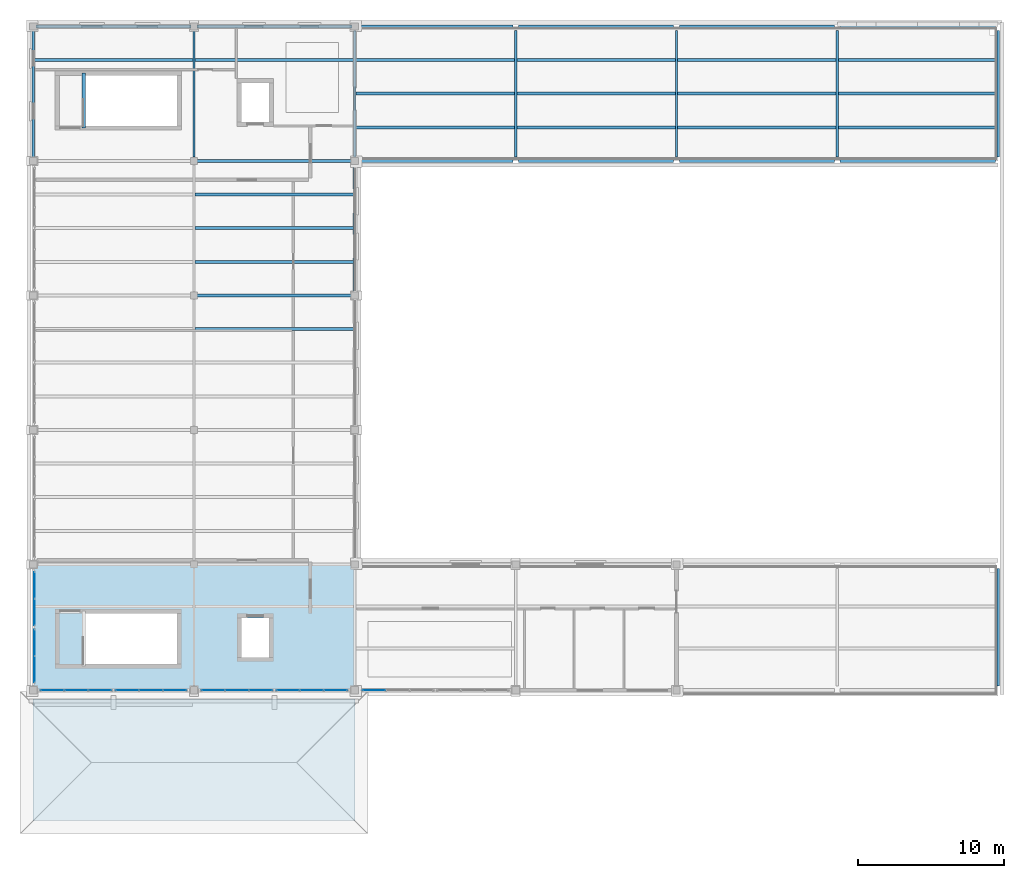
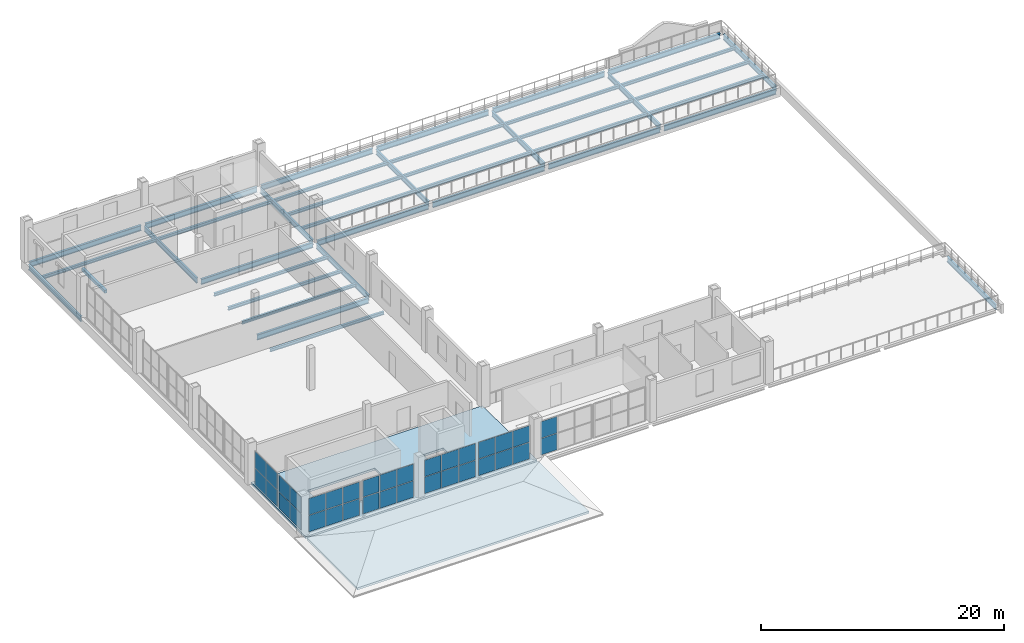
# One storey, part 21 of 26: 40 beams, 34 plates, 2 slabs, 7 elements without a shape of their own.
"""IFC4 building model written with IfcOpenShell, lengths in metres."""

from ifc_helpers import new_model, si_unit, direction, frame, origin, origin_2d, place, context, subcontext, project, spatial, polyline, rectangle, i_section, outline, extrude, material, layer, layer_set, material_profile, profile_set, type_object, element, aggregate, save


model = new_model("IFC4")

# Units and contexts
model_context = context("Model", 3, precision=1e-05, world=origin(), true_north=direction((0.0, 1.0)))
body_context = subcontext(model_context, "Body", "Model", "MODEL_VIEW")
ifc_project = project(units=[si_unit("LENGTHUNIT", "METRE"), si_unit("AREAUNIT", "SQUARE_METRE"), si_unit("VOLUMEUNIT", "CUBIC_METRE"), si_unit("PLANEANGLEUNIT", "RADIAN"), si_unit("MASSUNIT", "GRAM", prefix="KILO")], contexts=[model_context])

# Site, building, storey
site_placement = place(None, origin())
site = spatial("IfcSite", under=ifc_project, at=site_placement, CompositionType="ELEMENT")
building_placement = place(site_placement, origin())
building = spatial("IfcBuilding", under=site, at=building_placement, Name="Caurita Quay Ferry Terminal", CompositionType="ELEMENT")
storey_placement = place(building_placement, frame((0.0, 0.0, 18.300048828125)))
storey = spatial("IfcBuildingStorey", under=building, at=storey_placement, Name="L04", CompositionType="ELEMENT", Elevation=18.300048828125)

# Beams
ifc_material_1 = material(Name="Structural steel ASTM A992 Gr. 50", Category="steel")
ifc_material_profile_1 = material_profile(ifc_material_1, i_section(OverallWidth=0.210693359375, OverallDepth=0.53857421875, WebThickness=0.01171875, FlangeThickness=0.018798828125, FilletRadius=0.013916015625, at=origin_2d()), Name="W21X73")
ifc_profile_set_1 = profile_set([ifc_material_profile_1], Name="Structural steel ASTM A992 Gr. 50")
beam_type_1 = type_object("IfcBeamType", Name="BM-GR-W21A", PredefinedType="BEAM", material=ifc_profile_set_1)
for number, where, z_axis, x_axis, name in (
    (1, (11.19140625, 98.60009765625, -0.4892578125), (1.0, 0.0, 0.0), (0.0, 1.0, 0.0), "L04 Beam BM-V5-L04-X-112-986"),
    (2, (11.19140625, 107.800048828125, -0.4892578125), (1.0, 0.0, 0.0), (0.0, 1.0, 0.0), "L04 Beam BM-V5-L04-X-112-1078"),
):
    element("IfcBeam", number, at=place(storey_placement, frame(where, z_axis=z_axis, x_axis=x_axis)), inside=storey, type_object=beam_type_1, Name=name, PredefinedType="BEAM", context=body_context, shape_type="SweptSolid", body=[
        extrude(i_section(OverallWidth=0.210693359375, OverallDepth=0.53857421875, WebThickness=0.01171875, FlangeThickness=0.018798828125, FilletRadius=0.013916015625, at=origin_2d()), origin(), (0.0, 0.0, 1.0), 10.6171875),
    ])
beam_1_placement = place(storey_placement, frame((22.19140625, 107.800048828125, -0.479248046875), z_axis=(1.0, 0.0, 0.0), x_axis=(0.0, 1.0, 0.0)))
element("IfcBeam", 3, at=beam_1_placement, inside=storey, type_object=beam_type_1, Name="L04 Beam BM-V5-L04-X-222-1078", PredefinedType="BEAM", context=body_context, shape_type="SweptSolid", body=[
    extrude(i_section(OverallWidth=0.210693359375, OverallDepth=0.53857421875, WebThickness=0.01171875, FlangeThickness=0.018798828125, FilletRadius=0.013916015625, at=origin_2d()), origin(), (0.0, 0.0, 1.0), 10.617431640625),
])
for number, where, z_axis, x_axis, name in (
    (4, (33.191162109375, 107.800048828125, -0.479248046875), (1.0, 0.0, 0.0), (0.0, 1.0, 0.0), "L04 Beam BM-V5-L04-X-332-1078"),
    (5, (44.191162109375, 107.800048828125, -0.479248046875), (1.0, 0.0, 0.0), (0.0, 1.0, 0.0), "L04 Beam BM-V5-L04-X-442-1078"),
    (6, (55.191162109375, 107.800048828125, -0.479248046875), (1.0, 0.0, 0.0), (0.0, 1.0, 0.0), "L04 Beam BM-V5-L04-X-552-1078"),
):
    element("IfcBeam", number, at=place(storey_placement, frame(where, z_axis=z_axis, x_axis=x_axis)), inside=storey, type_object=beam_type_1, Name=name, PredefinedType="BEAM", context=body_context, shape_type="SweptSolid", body=[
        extrude(i_section(OverallWidth=0.210693359375, OverallDepth=0.53857421875, WebThickness=0.01171875, FlangeThickness=0.018798828125, FilletRadius=0.013916015625, at=origin_2d()), origin(), (0.0, 0.0, 1.0), 10.61767578125),
    ])
for number, where, z_axis, x_axis, name in (
    (7, (0.19140625, 117.0, -0.4892578125), (1.0, 0.0, 0.0), (0.0, 1.0, 0.0), "L04 Beam BM-V5-L04-X-2-1170"),
    (8, (11.19140625, 117.0, -0.4892578125), (1.0, 0.0, 0.0), (0.0, 1.0, 0.0), "L04 Beam BM-V5-L04-X-112-1170"),
):
    element("IfcBeam", number, at=place(storey_placement, frame(where, z_axis=z_axis, x_axis=x_axis)), inside=storey, type_object=beam_type_1, Name=name, PredefinedType="BEAM", context=body_context, shape_type="SweptSolid", body=[
        extrude(i_section(OverallWidth=0.210693359375, OverallDepth=0.53857421875, WebThickness=0.01171875, FlangeThickness=0.018798828125, FilletRadius=0.013916015625, at=origin_2d()), origin(), (0.0, 0.0, 1.0), 10.6171875),
    ])
beam_2_placement = place(storey_placement, frame((22.19140625, 117.0, -0.479248046875), z_axis=(1.0, 0.0, 0.0), x_axis=(0.0, 1.0, 0.0)))
element("IfcBeam", 9, at=beam_2_placement, inside=storey, type_object=beam_type_1, Name="L04 Beam BM-V5-L04-X-222-1170", PredefinedType="BEAM", context=body_context, shape_type="SweptSolid", body=[
    extrude(i_section(OverallWidth=0.210693359375, OverallDepth=0.53857421875, WebThickness=0.01171875, FlangeThickness=0.018798828125, FilletRadius=0.013916015625, at=origin_2d()), origin(), (0.0, 0.0, 1.0), 10.617431640625),
])
for number, where, z_axis, x_axis, name in (
    (10, (33.191162109375, 117.0, -0.479248046875), (1.0, 0.0, 0.0), (0.0, 1.0, 0.0), "L04 Beam BM-V5-L04-X-332-1170"),
    (11, (44.191162109375, 117.0, -0.479248046875), (1.0, 0.0, 0.0), (0.0, 1.0, 0.0), "L04 Beam BM-V5-L04-X-442-1170"),
    (12, (55.191162109375, 117.0, -0.479248046875), (1.0, 0.0, 0.0), (0.0, 1.0, 0.0), "L04 Beam BM-V5-L04-X-552-1170"),
):
    element("IfcBeam", number, at=place(storey_placement, frame(where, z_axis=z_axis, x_axis=x_axis)), inside=storey, type_object=beam_type_1, Name=name, PredefinedType="BEAM", context=body_context, shape_type="SweptSolid", body=[
        extrude(i_section(OverallWidth=0.210693359375, OverallDepth=0.53857421875, WebThickness=0.01171875, FlangeThickness=0.018798828125, FilletRadius=0.013916015625, at=origin_2d()), origin(), (0.0, 0.0, 1.0), 10.61767578125),
    ])
ifc_material_profile_2 = material_profile(ifc_material_1, i_section(OverallWidth=0.20458984375, OverallDepth=0.307373046875, WebThickness=0.008544921875, FlangeThickness=0.0146484375, FilletRadius=0.0126953125, at=origin_2d()), Name="W12X45")
ifc_profile_set_2 = profile_set([ifc_material_profile_2], Name="Structural steel ASTM A992 Gr. 50")
beam_type_2 = type_object("IfcBeamType", Name="BM-JS-W12B", PredefinedType="JOIST", material=ifc_profile_set_2)
for number, where, z_axis, x_axis, name in (
    (13, (0.083251953125, 114.699951171875, -0.373779296875), (1.0, 0.0, 0.0), (0.0, 1.0, 0.0), "L04 Beam JS-V5-L04-011"),
    (14, (11.083251953125, 96.300048828125, -0.373779296875), (1.0, 0.0, 0.0), (0.0, 1.0, 0.0), "L04 Beam JS-V5-L04-018"),
    (15, (11.083251953125, 100.89990234375, -0.373779296875), (1.0, 0.0, 0.0), (0.0, 1.0, 0.0), "L04 Beam JS-V5-L04-019"),
    (16, (11.083251953125, 103.199951171875, -0.373779296875), (1.0, 0.0, 0.0), (0.0, 1.0, 0.0), "L04 Beam JS-V5-L04-020"),
    (17, (11.083251953125, 105.5, -0.373779296875), (1.0, 0.0, 0.0), (0.0, 1.0, 0.0), "L04 Beam JS-V5-L04-021"),
    (18, (11.083251953125, 114.699951171875, -0.373779296875), (1.0, 0.0, 0.0), (0.0, 1.0, 0.0), "L04 Beam JS-V5-L04-022"),
    (19, (22.083251953125, 110.10009765625, -0.36376953125), (1.0, 0.0, 0.0), (0.0, 1.0, 0.0), "L04 Beam JS-V5-L04-025"),
    (20, (22.083251953125, 112.39990234375, -0.36376953125), (1.0, 0.0, 0.0), (0.0, 1.0, 0.0), "L04 Beam JS-V5-L04-026"),
    (21, (22.083251953125, 114.699951171875, -0.36376953125), (1.0, 0.0, 0.0), (0.0, 1.0, 0.0), "L04 Beam JS-V5-L04-027"),
    (22, (33.083251953125, 110.10009765625, -0.36376953125), (1.0, 0.0, 0.0), (0.0, 1.0, 0.0), "L04 Beam JS-V5-L04-029"),
    (23, (33.083251953125, 112.39990234375, -0.36376953125), (1.0, 0.0, 0.0), (0.0, 1.0, 0.0), "L04 Beam JS-V5-L04-030"),
    (24, (33.083251953125, 114.699951171875, -0.36376953125), (1.0, 0.0, 0.0), (0.0, 1.0, 0.0), "L04 Beam JS-V5-L04-031"),
    (25, (44.083251953125, 110.10009765625, -0.36376953125), (1.0, 0.0, 0.0), (0.0, 1.0, 0.0), "L04 Beam JS-V5-L04-034"),
    (26, (44.083251953125, 112.39990234375, -0.36376953125), (1.0, 0.0, 0.0), (0.0, 1.0, 0.0), "L04 Beam JS-V5-L04-035"),
    (27, (44.083251953125, 114.699951171875, -0.36376953125), (1.0, 0.0, 0.0), (0.0, 1.0, 0.0), "L04 Beam JS-V5-L04-036"),
    (28, (55.083251953125, 110.10009765625, -0.36376953125), (1.0, 0.0, 0.0), (0.0, 1.0, 0.0), "L04 Beam JS-V5-L04-039"),
    (29, (55.083251953125, 112.39990234375, -0.36376953125), (1.0, 0.0, 0.0), (0.0, 1.0, 0.0), "L04 Beam JS-V5-L04-040"),
    (30, (55.083251953125, 114.699951171875, -0.36376953125), (1.0, 0.0, 0.0), (0.0, 1.0, 0.0), "L04 Beam JS-V5-L04-041"),
):
    element("IfcBeam", number, at=place(storey_placement, frame(where, z_axis=z_axis, x_axis=x_axis)), inside=storey, type_object=beam_type_2, Name=name, PredefinedType="JOIST", context=body_context, shape_type="SweptSolid", body=[
        extrude(i_section(OverallWidth=0.20458984375, OverallDepth=0.307373046875, WebThickness=0.008544921875, FlangeThickness=0.0146484375, FilletRadius=0.0126953125, at=origin_2d()), origin(), (0.0, 0.0, 1.0), 10.83349609375),
    ])
ifc_material_profile_3 = material_profile(ifc_material_1, i_section(OverallWidth=0.16650390625, OverallDepth=0.535888671875, WebThickness=0.01025390625, FlangeThickness=0.0166015625, FilletRadius=0.013916015625, at=origin_2d()), Name="W21X57")
ifc_profile_set_3 = profile_set([ifc_material_profile_3], Name="Structural steel ASTM A992 Gr. 50")
beam_type_3 = type_object("IfcBeamType", Name="BM-SP-W21B", PredefinedType="SPANDREL", material=ifc_profile_set_3)
for number, where, z_axis, x_axis, name in (
    (31, (0.0, 108.076416015625, -0.488037109375), (0.0, 1.0, 0.0), (-1.0, 0.0, 0.0), "L04 Beam BM-V5-L04-Y-0-1081"),
    (32, (11.0, 108.076416015625, -0.488037109375), (0.0, 1.0, 0.0), (-1.0, 0.0, 0.0), "L04 Beam BM-V5-L04-Y-110-1081"),
):
    element("IfcBeam", number, at=place(storey_placement, frame(where, z_axis=z_axis, x_axis=x_axis)), inside=storey, type_object=beam_type_3, Name=name, PredefinedType="SPANDREL", context=body_context, shape_type="SweptSolid", body=[
        extrude(i_section(OverallWidth=0.16650390625, OverallDepth=0.535888671875, WebThickness=0.01025390625, FlangeThickness=0.0166015625, FilletRadius=0.013916015625, at=origin_2d()), origin(), (0.0, 0.0, 1.0), 8.647216796875),
    ])
beam_3_placement = place(storey_placement, frame((22.0, 98.876220703125, -0.488037109375), z_axis=(0.0, 1.0, 0.0), x_axis=(-1.0, 0.0, 0.0)))
element("IfcBeam", 33, at=beam_3_placement, inside=storey, type_object=beam_type_3, Name="L04 Beam BM-V5-L04-Y-220-989", PredefinedType="SPANDREL", context=body_context, shape_type="SweptSolid", body=[
    extrude(i_section(OverallWidth=0.16650390625, OverallDepth=0.535888671875, WebThickness=0.01025390625, FlangeThickness=0.0166015625, FilletRadius=0.013916015625, at=origin_2d()), origin(), (0.0, 0.0, 1.0), 8.6474609375),
])
for number, where, z_axis, x_axis, name in (
    (34, (22.0, 108.076416015625, -0.488037109375), (0.0, 1.0, 0.0), (-1.0, 0.0, 0.0), "L04 Beam BM-V5-L04-Y-220-1081"),
    (35, (33.0, 108.076416015625, -0.47802734375), (0.0, 1.0, 0.0), (-1.0, 0.0, 0.0), "L04 Beam BM-V5-L04-Y-330-1081"),
    (36, (44.0, 108.076416015625, -0.47802734375), (0.0, 1.0, 0.0), (-1.0, 0.0, 0.0), "L04 Beam BM-V5-L04-Y-440-1081"),
    (37, (55.0, 108.076416015625, -0.47802734375), (0.0, 1.0, 0.0), (-1.0, 0.0, 0.0), "L04 Beam BM-V5-L04-Y-550-1081"),
):
    element("IfcBeam", number, at=place(storey_placement, frame(where, z_axis=z_axis, x_axis=x_axis)), inside=storey, type_object=beam_type_3, Name=name, PredefinedType="SPANDREL", context=body_context, shape_type="SweptSolid", body=[
        extrude(i_section(OverallWidth=0.16650390625, OverallDepth=0.535888671875, WebThickness=0.01025390625, FlangeThickness=0.0166015625, FilletRadius=0.013916015625, at=origin_2d()), origin(), (0.0, 0.0, 1.0), 8.647216796875),
    ])
beam_4_placement = place(storey_placement, frame((66.0, 71.876220703125, -0.47802734375), z_axis=(0.0, 1.0, 0.0), x_axis=(-1.0, 0.0, 0.0)))
element("IfcBeam", 38, at=beam_4_placement, inside=storey, type_object=beam_type_3, Name="L04 Beam BM-V5-L04-Y-660-719", PredefinedType="SPANDREL", context=body_context, shape_type="SweptSolid", body=[
    extrude(i_section(OverallWidth=0.16650390625, OverallDepth=0.535888671875, WebThickness=0.01025390625, FlangeThickness=0.0166015625, FilletRadius=0.013916015625, at=origin_2d()), origin(), (0.0, 0.0, 1.0), 8.04736328125),
])
beam_5_placement = place(storey_placement, frame((66.0, 108.076416015625, -0.47802734375), z_axis=(0.0, 1.0, 0.0), x_axis=(-1.0, 0.0, 0.0)))
element("IfcBeam", 39, at=beam_5_placement, inside=storey, type_object=beam_type_3, Name="L04 Beam BM-V5-L04-Y-660-1081", PredefinedType="SPANDREL", context=body_context, shape_type="SweptSolid", body=[
    extrude(i_section(OverallWidth=0.16650390625, OverallDepth=0.535888671875, WebThickness=0.01025390625, FlangeThickness=0.0166015625, FilletRadius=0.013916015625, at=origin_2d()), origin(), (0.0, 0.0, 1.0), 8.647216796875),
])
ifc_material_2 = material(Name="Reinforced concrete C35/45", Category="concrete")
ifc_material_profile_4 = material_profile(ifc_material_2, rectangle(XDim=0.25, YDim=0.300048828125, at=origin_2d()), Name="RC-LN-250X300")
ifc_profile_set_4 = profile_set([ifc_material_profile_4], Name="Reinforced concrete C35/45")
beam_type_4 = type_object("IfcBeamType", Name="LN-RC-2530", PredefinedType="LINTEL", material=ifc_profile_set_4)
beam_6_placement = place(storey_placement, frame((3.449951171875, 110.050048828125, -0.150146484375), z_axis=(0.0, 1.0, 0.0), x_axis=(-1.0, 0.0, 0.0)))
element("IfcBeam", 40, at=beam_6_placement, inside=storey, type_object=beam_type_4, Name="L04 Stair ST-01 Landing Trimmer Beam", PredefinedType="LINTEL", context=body_context, shape_type="SweptSolid", body=[
    extrude(rectangle(XDim=0.25, YDim=0.300048828125, at=origin_2d()), origin(), (0.0, 0.0, 1.0), 3.760009765625),
])

# Curtain wall, plates
ifc_material_3 = material(Name="Laminated solar-control insulated glass", Category="glass")
curtain_wall_type_1 = type_object("IfcCurtainWallType", Name="CW-SYS-20", PredefinedType="NOTDEFINED", material=ifc_material_3)
curtain_wall_1_placement = place(storey_placement, origin())
curtain_wall_1 = element("IfcCurtainWall", 41, at=curtain_wall_1_placement, inside=storey, type_object=curtain_wall_type_1, Name="VTS Watch Panoramic Curtain Wall 142", PredefinedType="NOTDEFINED")
ifc_layer_1 = layer(ifc_material_3, 0.028076171875, Name="Laminated low-e hurricane-rated glazing unit 28 mm")
ifc_layer_set_1 = layer_set([ifc_layer_1], Name="Laminated solar-control insulated glass")
plate_type = type_object("IfcPlateType", Name="CW-PNL-28", PredefinedType="CURTAIN_PANEL", material=ifc_layer_set_1)
plate_1_placement = place(storey_placement, frame((0.10009765625, 73.023681640625, 0.052978515625), z_axis=(0.0, 0.0, 1.0), x_axis=(0.0, 1.0, 0.0)))
plate_1 = element("IfcPlate", 42, at=plate_1_placement, type_object=plate_type, Name="CW-VTS-142 Glazing Panel 1", PredefinedType="CURTAIN_PANEL", context=body_context, shape_type="SweptSolid", body=[
    extrude(rectangle(XDim=1.781494140625, YDim=0.028076171875, at=origin_2d()), origin(), (0.0, 0.0, 1.0), 1.646484375),
])
plate_2_placement = place(storey_placement, frame((0.10009765625, 73.023681640625, 1.75048828125), z_axis=(0.0, 0.0, 1.0), x_axis=(0.0, 1.0, 0.0)))
plate_2 = element("IfcPlate", 43, at=plate_2_placement, type_object=plate_type, Name="CW-VTS-142 Glazing Panel 2", PredefinedType="CURTAIN_PANEL", context=body_context, shape_type="SweptSolid", body=[
    extrude(rectangle(XDim=1.781494140625, YDim=0.028076171875, at=origin_2d()), origin(), (0.0, 0.0, 1.0), 1.646484375),
])
plate_3_placement = place(storey_placement, frame((0.10009765625, 74.856201171875, 0.052978515625), z_axis=(0.0, 0.0, 1.0), x_axis=(0.0, 1.0, 0.0)))
plate_3 = element("IfcPlate", 44, at=plate_3_placement, type_object=plate_type, Name="CW-VTS-142 Glazing Panel 3", PredefinedType="CURTAIN_PANEL", context=body_context, shape_type="SweptSolid", body=[
    extrude(rectangle(XDim=1.781494140625, YDim=0.028076171875, at=origin_2d()), origin(), (0.0, 0.0, 1.0), 1.646484375),
])
plate_4_placement = place(storey_placement, frame((0.10009765625, 74.856201171875, 1.75048828125), z_axis=(0.0, 0.0, 1.0), x_axis=(0.0, 1.0, 0.0)))
plate_4 = element("IfcPlate", 45, at=plate_4_placement, type_object=plate_type, Name="CW-VTS-142 Glazing Panel 4", PredefinedType="CURTAIN_PANEL", context=body_context, shape_type="SweptSolid", body=[
    extrude(rectangle(XDim=1.781494140625, YDim=0.028076171875, at=origin_2d()), origin(), (0.0, 0.0, 1.0), 1.646484375),
])
aggregate(curtain_wall_1, [plate_1, plate_2, plate_3, plate_4])

curtain_wall_2_placement = place(storey_placement, origin())
curtain_wall_2 = element("IfcCurtainWall", 46, at=curtain_wall_2_placement, inside=storey, type_object=curtain_wall_type_1, Name="VTS Watch Panoramic Curtain Wall 143", PredefinedType="NOTDEFINED")
plate_5_placement = place(storey_placement, frame((0.10009765625, 76.943603515625, 0.052978515625), z_axis=(0.0, 0.0, 1.0), x_axis=(0.0, 1.0, 0.0)))
plate_5 = element("IfcPlate", 47, at=plate_5_placement, type_object=plate_type, Name="CW-VTS-143 Glazing Panel 1", PredefinedType="CURTAIN_PANEL", context=body_context, shape_type="SweptSolid", body=[
    extrude(rectangle(XDim=1.781494140625, YDim=0.028076171875, at=origin_2d()), origin(), (0.0, 0.0, 1.0), 1.646484375),
])
plate_6_placement = place(storey_placement, frame((0.10009765625, 76.943603515625, 1.75048828125), z_axis=(0.0, 0.0, 1.0), x_axis=(0.0, 1.0, 0.0)))
plate_6 = element("IfcPlate", 48, at=plate_6_placement, type_object=plate_type, Name="CW-VTS-143 Glazing Panel 2", PredefinedType="CURTAIN_PANEL", context=body_context, shape_type="SweptSolid", body=[
    extrude(rectangle(XDim=1.781494140625, YDim=0.028076171875, at=origin_2d()), origin(), (0.0, 0.0, 1.0), 1.646484375),
])
plate_7_placement = place(storey_placement, frame((0.10009765625, 78.7763671875, 0.052978515625), z_axis=(0.0, 0.0, 1.0), x_axis=(0.0, 1.0, 0.0)))
plate_7 = element("IfcPlate", 49, at=plate_7_placement, type_object=plate_type, Name="CW-VTS-143 Glazing Panel 3", PredefinedType="CURTAIN_PANEL", context=body_context, shape_type="SweptSolid", body=[
    extrude(rectangle(XDim=1.781494140625, YDim=0.028076171875, at=origin_2d()), origin(), (0.0, 0.0, 1.0), 1.646484375),
])
plate_8_placement = place(storey_placement, frame((0.10009765625, 78.7763671875, 1.75048828125), z_axis=(0.0, 0.0, 1.0), x_axis=(0.0, 1.0, 0.0)))
plate_8 = element("IfcPlate", 50, at=plate_8_placement, type_object=plate_type, Name="CW-VTS-143 Glazing Panel 4", PredefinedType="CURTAIN_PANEL", context=body_context, shape_type="SweptSolid", body=[
    extrude(rectangle(XDim=1.781494140625, YDim=0.028076171875, at=origin_2d()), origin(), (0.0, 0.0, 1.0), 1.646484375),
])
aggregate(curtain_wall_2, [plate_5, plate_6, plate_7, plate_8])

curtain_wall_type_2 = type_object("IfcCurtainWallType", Name="CW-SYS-22", PredefinedType="NOTDEFINED", material=ifc_material_3)
curtain_wall_3_placement = place(storey_placement, origin())
curtain_wall_3 = element("IfcCurtainWall", 51, at=curtain_wall_3_placement, inside=storey, type_object=curtain_wall_type_2, Name="VTS Harbour South Watch Curtain Wall 150", PredefinedType="NOTDEFINED")
plate_9_placement = place(storey_placement, frame((1.313720703125, 71.60009765625, 0.052978515625), z_axis=(0.0, 0.0, 1.0), x_axis=(1.0, 0.0, 0.0)))
plate_9 = element("IfcPlate", 52, at=plate_9_placement, type_object=plate_type, Name="CW-VTS-150 Glazing Panel 1", PredefinedType="CURTAIN_PANEL", context=body_context, shape_type="SweptSolid", body=[
    extrude(rectangle(XDim=1.5615234375, YDim=0.028076171875, at=origin_2d()), origin(), (0.0, 0.0, 1.0), 1.646484375),
])
plate_10_placement = place(storey_placement, frame((1.313720703125, 71.60009765625, 1.75048828125), z_axis=(0.0, 0.0, 1.0), x_axis=(1.0, 0.0, 0.0)))
plate_10 = element("IfcPlate", 53, at=plate_10_placement, type_object=plate_type, Name="CW-VTS-150 Glazing Panel 2", PredefinedType="CURTAIN_PANEL", context=body_context, shape_type="SweptSolid", body=[
    extrude(rectangle(XDim=1.5615234375, YDim=0.028076171875, at=origin_2d()), origin(), (0.0, 0.0, 1.0), 1.646484375),
])
plate_11_placement = place(storey_placement, frame((2.93994140625, 71.60009765625, 0.052978515625), z_axis=(0.0, 0.0, 1.0), x_axis=(1.0, 0.0, 0.0)))
plate_11 = element("IfcPlate", 54, at=plate_11_placement, type_object=plate_type, Name="CW-VTS-150 Glazing Panel 3", PredefinedType="CURTAIN_PANEL", context=body_context, shape_type="SweptSolid", body=[
    extrude(rectangle(XDim=1.589111328125, YDim=0.028076171875, at=origin_2d()), origin(), (0.0, 0.0, 1.0), 1.646484375),
])
plate_12_placement = place(storey_placement, frame((2.93994140625, 71.60009765625, 1.75048828125), z_axis=(0.0, 0.0, 1.0), x_axis=(1.0, 0.0, 0.0)))
plate_12 = element("IfcPlate", 55, at=plate_12_placement, type_object=plate_type, Name="CW-VTS-150 Glazing Panel 4", PredefinedType="CURTAIN_PANEL", context=body_context, shape_type="SweptSolid", body=[
    extrude(rectangle(XDim=1.589111328125, YDim=0.028076171875, at=origin_2d()), origin(), (0.0, 0.0, 1.0), 1.646484375),
])
plate_13_placement = place(storey_placement, frame((4.56640625, 71.60009765625, 0.052978515625), z_axis=(0.0, 0.0, 1.0), x_axis=(1.0, 0.0, 0.0)))
plate_13 = element("IfcPlate", 56, at=plate_13_placement, type_object=plate_type, Name="CW-VTS-150 Glazing Panel 5", PredefinedType="CURTAIN_PANEL", context=body_context, shape_type="SweptSolid", body=[
    extrude(rectangle(XDim=1.5615234375, YDim=0.028076171875, at=origin_2d()), origin(), (0.0, 0.0, 1.0), 1.646484375),
])
plate_14_placement = place(storey_placement, frame((4.56640625, 71.60009765625, 1.75048828125), z_axis=(0.0, 0.0, 1.0), x_axis=(1.0, 0.0, 0.0)))
plate_14 = element("IfcPlate", 57, at=plate_14_placement, type_object=plate_type, Name="CW-VTS-150 Glazing Panel 6", PredefinedType="CURTAIN_PANEL", context=body_context, shape_type="SweptSolid", body=[
    extrude(rectangle(XDim=1.5615234375, YDim=0.028076171875, at=origin_2d()), origin(), (0.0, 0.0, 1.0), 1.646484375),
])
aggregate(curtain_wall_3, [plate_9, plate_10, plate_11, plate_12, plate_13, plate_14])

curtain_wall_4_placement = place(storey_placement, origin())
curtain_wall_4 = element("IfcCurtainWall", 58, at=curtain_wall_4_placement, inside=storey, type_object=curtain_wall_type_2, Name="VTS Harbour South Watch Curtain Wall 151", PredefinedType="NOTDEFINED")
plate_15_placement = place(storey_placement, frame((6.43359375, 71.60009765625, 0.052978515625), z_axis=(0.0, 0.0, 1.0), x_axis=(1.0, 0.0, 0.0)))
plate_15 = element("IfcPlate", 59, at=plate_15_placement, type_object=plate_type, Name="CW-VTS-151 Glazing Panel 1", PredefinedType="CURTAIN_PANEL", context=body_context, shape_type="SweptSolid", body=[
    extrude(rectangle(XDim=1.5615234375, YDim=0.028076171875, at=origin_2d()), origin(), (0.0, 0.0, 1.0), 1.646484375),
])
plate_16_placement = place(storey_placement, frame((6.43359375, 71.60009765625, 1.75048828125), z_axis=(0.0, 0.0, 1.0), x_axis=(1.0, 0.0, 0.0)))
plate_16 = element("IfcPlate", 60, at=plate_16_placement, type_object=plate_type, Name="CW-VTS-151 Glazing Panel 2", PredefinedType="CURTAIN_PANEL", context=body_context, shape_type="SweptSolid", body=[
    extrude(rectangle(XDim=1.5615234375, YDim=0.028076171875, at=origin_2d()), origin(), (0.0, 0.0, 1.0), 1.646484375),
])
plate_17_placement = place(storey_placement, frame((8.06005859375, 71.60009765625, 0.052978515625), z_axis=(0.0, 0.0, 1.0), x_axis=(1.0, 0.0, 0.0)))
plate_17 = element("IfcPlate", 61, at=plate_17_placement, type_object=plate_type, Name="CW-VTS-151 Glazing Panel 3", PredefinedType="CURTAIN_PANEL", context=body_context, shape_type="SweptSolid", body=[
    extrude(rectangle(XDim=1.589111328125, YDim=0.028076171875, at=origin_2d()), origin(), (0.0, 0.0, 1.0), 1.646484375),
])
plate_18_placement = place(storey_placement, frame((8.06005859375, 71.60009765625, 1.75048828125), z_axis=(0.0, 0.0, 1.0), x_axis=(1.0, 0.0, 0.0)))
plate_18 = element("IfcPlate", 62, at=plate_18_placement, type_object=plate_type, Name="CW-VTS-151 Glazing Panel 4", PredefinedType="CURTAIN_PANEL", context=body_context, shape_type="SweptSolid", body=[
    extrude(rectangle(XDim=1.589111328125, YDim=0.028076171875, at=origin_2d()), origin(), (0.0, 0.0, 1.0), 1.646484375),
])
plate_19_placement = place(storey_placement, frame((9.686279296875, 71.60009765625, 0.052978515625), z_axis=(0.0, 0.0, 1.0), x_axis=(1.0, 0.0, 0.0)))
plate_19 = element("IfcPlate", 63, at=plate_19_placement, type_object=plate_type, Name="CW-VTS-151 Glazing Panel 5", PredefinedType="CURTAIN_PANEL", context=body_context, shape_type="SweptSolid", body=[
    extrude(rectangle(XDim=1.5615234375, YDim=0.028076171875, at=origin_2d()), origin(), (0.0, 0.0, 1.0), 1.646484375),
])
plate_20_placement = place(storey_placement, frame((9.686279296875, 71.60009765625, 1.75048828125), z_axis=(0.0, 0.0, 1.0), x_axis=(1.0, 0.0, 0.0)))
plate_20 = element("IfcPlate", 64, at=plate_20_placement, type_object=plate_type, Name="CW-VTS-151 Glazing Panel 6", PredefinedType="CURTAIN_PANEL", context=body_context, shape_type="SweptSolid", body=[
    extrude(rectangle(XDim=1.5615234375, YDim=0.028076171875, at=origin_2d()), origin(), (0.0, 0.0, 1.0), 1.646484375),
])
aggregate(curtain_wall_4, [plate_15, plate_16, plate_17, plate_18, plate_19, plate_20])

curtain_wall_5_placement = place(storey_placement, origin())
curtain_wall_5 = element("IfcCurtainWall", 65, at=curtain_wall_5_placement, inside=storey, type_object=curtain_wall_type_2, Name="VTS Harbour South Watch Curtain Wall 152", PredefinedType="NOTDEFINED")
plate_21_placement = place(storey_placement, frame((12.313720703125, 71.60009765625, 0.052978515625), z_axis=(0.0, 0.0, 1.0), x_axis=(1.0, 0.0, 0.0)))
plate_21 = element("IfcPlate", 66, at=plate_21_placement, type_object=plate_type, Name="CW-VTS-152 Glazing Panel 1", PredefinedType="CURTAIN_PANEL", context=body_context, shape_type="SweptSolid", body=[
    extrude(rectangle(XDim=1.5615234375, YDim=0.028076171875, at=origin_2d()), origin(), (0.0, 0.0, 1.0), 1.646484375),
])
plate_22_placement = place(storey_placement, frame((12.313720703125, 71.60009765625, 1.75048828125), z_axis=(0.0, 0.0, 1.0), x_axis=(1.0, 0.0, 0.0)))
plate_22 = element("IfcPlate", 67, at=plate_22_placement, type_object=plate_type, Name="CW-VTS-152 Glazing Panel 2", PredefinedType="CURTAIN_PANEL", context=body_context, shape_type="SweptSolid", body=[
    extrude(rectangle(XDim=1.5615234375, YDim=0.028076171875, at=origin_2d()), origin(), (0.0, 0.0, 1.0), 1.646484375),
])
plate_23_placement = place(storey_placement, frame((13.93994140625, 71.60009765625, 0.052978515625), z_axis=(0.0, 0.0, 1.0), x_axis=(1.0, 0.0, 0.0)))
plate_23 = element("IfcPlate", 68, at=plate_23_placement, type_object=plate_type, Name="CW-VTS-152 Glazing Panel 3", PredefinedType="CURTAIN_PANEL", context=body_context, shape_type="SweptSolid", body=[
    extrude(rectangle(XDim=1.589111328125, YDim=0.028076171875, at=origin_2d()), origin(), (0.0, 0.0, 1.0), 1.646484375),
])
plate_24_placement = place(storey_placement, frame((13.93994140625, 71.60009765625, 1.75048828125), z_axis=(0.0, 0.0, 1.0), x_axis=(1.0, 0.0, 0.0)))
plate_24 = element("IfcPlate", 69, at=plate_24_placement, type_object=plate_type, Name="CW-VTS-152 Glazing Panel 4", PredefinedType="CURTAIN_PANEL", context=body_context, shape_type="SweptSolid", body=[
    extrude(rectangle(XDim=1.589111328125, YDim=0.028076171875, at=origin_2d()), origin(), (0.0, 0.0, 1.0), 1.646484375),
])
plate_25_placement = place(storey_placement, frame((15.566162109375, 71.60009765625, 0.052978515625), z_axis=(0.0, 0.0, 1.0), x_axis=(1.0, 0.0, 0.0)))
plate_25 = element("IfcPlate", 70, at=plate_25_placement, type_object=plate_type, Name="CW-VTS-152 Glazing Panel 5", PredefinedType="CURTAIN_PANEL", context=body_context, shape_type="SweptSolid", body=[
    extrude(rectangle(XDim=1.5615234375, YDim=0.028076171875, at=origin_2d()), origin(), (0.0, 0.0, 1.0), 1.646484375),
])
plate_26_placement = place(storey_placement, frame((15.566162109375, 71.60009765625, 1.75048828125), z_axis=(0.0, 0.0, 1.0), x_axis=(1.0, 0.0, 0.0)))
plate_26 = element("IfcPlate", 71, at=plate_26_placement, type_object=plate_type, Name="CW-VTS-152 Glazing Panel 6", PredefinedType="CURTAIN_PANEL", context=body_context, shape_type="SweptSolid", body=[
    extrude(rectangle(XDim=1.5615234375, YDim=0.028076171875, at=origin_2d()), origin(), (0.0, 0.0, 1.0), 1.646484375),
])
aggregate(curtain_wall_5, [plate_21, plate_22, plate_23, plate_24, plate_25, plate_26])

curtain_wall_6_placement = place(storey_placement, origin())
curtain_wall_6 = element("IfcCurtainWall", 72, at=curtain_wall_6_placement, inside=storey, type_object=curtain_wall_type_2, Name="VTS Harbour South Watch Curtain Wall 153", PredefinedType="NOTDEFINED")
plate_27_placement = place(storey_placement, frame((17.43359375, 71.60009765625, 0.052978515625), z_axis=(0.0, 0.0, 1.0), x_axis=(1.0, 0.0, 0.0)))
plate_27 = element("IfcPlate", 73, at=plate_27_placement, type_object=plate_type, Name="CW-VTS-153 Glazing Panel 1", PredefinedType="CURTAIN_PANEL", context=body_context, shape_type="SweptSolid", body=[
    extrude(rectangle(XDim=1.5615234375, YDim=0.028076171875, at=origin_2d()), origin(), (0.0, 0.0, 1.0), 1.646484375),
])
plate_28_placement = place(storey_placement, frame((17.43359375, 71.60009765625, 1.75048828125), z_axis=(0.0, 0.0, 1.0), x_axis=(1.0, 0.0, 0.0)))
plate_28 = element("IfcPlate", 74, at=plate_28_placement, type_object=plate_type, Name="CW-VTS-153 Glazing Panel 2", PredefinedType="CURTAIN_PANEL", context=body_context, shape_type="SweptSolid", body=[
    extrude(rectangle(XDim=1.5615234375, YDim=0.028076171875, at=origin_2d()), origin(), (0.0, 0.0, 1.0), 1.646484375),
])
plate_29_placement = place(storey_placement, frame((19.06005859375, 71.60009765625, 0.052978515625), z_axis=(0.0, 0.0, 1.0), x_axis=(1.0, 0.0, 0.0)))
plate_29 = element("IfcPlate", 75, at=plate_29_placement, type_object=plate_type, Name="CW-VTS-153 Glazing Panel 3", PredefinedType="CURTAIN_PANEL", context=body_context, shape_type="SweptSolid", body=[
    extrude(rectangle(XDim=1.589111328125, YDim=0.028076171875, at=origin_2d()), origin(), (0.0, 0.0, 1.0), 1.646484375),
])
plate_30_placement = place(storey_placement, frame((19.06005859375, 71.60009765625, 1.75048828125), z_axis=(0.0, 0.0, 1.0), x_axis=(1.0, 0.0, 0.0)))
plate_30 = element("IfcPlate", 76, at=plate_30_placement, type_object=plate_type, Name="CW-VTS-153 Glazing Panel 4", PredefinedType="CURTAIN_PANEL", context=body_context, shape_type="SweptSolid", body=[
    extrude(rectangle(XDim=1.589111328125, YDim=0.028076171875, at=origin_2d()), origin(), (0.0, 0.0, 1.0), 1.646484375),
])
plate_31_placement = place(storey_placement, frame((20.686279296875, 71.60009765625, 0.052978515625), z_axis=(0.0, 0.0, 1.0), x_axis=(1.0, 0.0, 0.0)))
plate_31 = element("IfcPlate", 77, at=plate_31_placement, type_object=plate_type, Name="CW-VTS-153 Glazing Panel 5", PredefinedType="CURTAIN_PANEL", context=body_context, shape_type="SweptSolid", body=[
    extrude(rectangle(XDim=1.5615234375, YDim=0.028076171875, at=origin_2d()), origin(), (0.0, 0.0, 1.0), 1.646484375),
])
plate_32_placement = place(storey_placement, frame((20.686279296875, 71.60009765625, 1.75048828125), z_axis=(0.0, 0.0, 1.0), x_axis=(1.0, 0.0, 0.0)))
plate_32 = element("IfcPlate", 78, at=plate_32_placement, type_object=plate_type, Name="CW-VTS-153 Glazing Panel 6", PredefinedType="CURTAIN_PANEL", context=body_context, shape_type="SweptSolid", body=[
    extrude(rectangle(XDim=1.5615234375, YDim=0.028076171875, at=origin_2d()), origin(), (0.0, 0.0, 1.0), 1.646484375),
])
aggregate(curtain_wall_6, [plate_27, plate_28, plate_29, plate_30, plate_31, plate_32])

curtain_wall_7_placement = place(storey_placement, origin())
curtain_wall_7 = element("IfcCurtainWall", 79, at=curtain_wall_7_placement, inside=storey, type_object=curtain_wall_type_2, Name="VTS Harbour South Watch Curtain Wall 154", PredefinedType="NOTDEFINED")
plate_33_placement = place(storey_placement, frame((23.313720703125, 71.60009765625, 0.052978515625), z_axis=(0.0, 0.0, 1.0), x_axis=(1.0, 0.0, 0.0)))
plate_33 = element("IfcPlate", 80, at=plate_33_placement, type_object=plate_type, Name="CW-VTS-154 Glazing Panel 1", PredefinedType="CURTAIN_PANEL", context=body_context, shape_type="SweptSolid", body=[
    extrude(rectangle(XDim=1.5615234375, YDim=0.028076171875, at=origin_2d()), origin(), (0.0, 0.0, 1.0), 1.646484375),
])
plate_34_placement = place(storey_placement, frame((23.313720703125, 71.60009765625, 1.75048828125), z_axis=(0.0, 0.0, 1.0), x_axis=(1.0, 0.0, 0.0)))
plate_34 = element("IfcPlate", 81, at=plate_34_placement, type_object=plate_type, Name="CW-VTS-154 Glazing Panel 2", PredefinedType="CURTAIN_PANEL", context=body_context, shape_type="SweptSolid", body=[
    extrude(rectangle(XDim=1.5615234375, YDim=0.028076171875, at=origin_2d()), origin(), (0.0, 0.0, 1.0), 1.646484375),
])
aggregate(curtain_wall_7, [plate_33, plate_34])

# Slabs
ifc_layer_2 = layer(ifc_material_2, 0.219970703125, Name="Reinforced concrete floor slab 220 mm")
ifc_layer_set_2 = layer_set([ifc_layer_2], Name="Reinforced concrete C35/45")
slab_type_1 = type_object("IfcSlabType", Name="SLB-FLR-220", PredefinedType="FLOOR", material=ifc_layer_set_2)
slab_1_placement = place(storey_placement, frame((0.0, 0.0, -0.219970703125)))
element("IfcSlab", 82, at=slab_1_placement, inside=storey, type_object=slab_type_1, Name="L04 V5-FLR Slab 01", PredefinedType="FLOOR", context=body_context, shape_type="SweptSolid", body=[
    extrude(outline(polyline([(0.0, 71.199951171875), (22.0, 71.199951171875), (22.0, 80.199951171875), (0.0, 80.199951171875), (0.0, 71.199951171875)]), holes=[polyline([(3.449951171875, 73.39990234375), (9.85009765625, 73.39990234375), (9.85009765625, 76.860107421875), (3.449951171875, 76.860107421875), (3.449951171875, 73.39990234375)]), polyline([(14.2548828125, 73.85498046875), (16.14501953125, 73.85498046875), (16.14501953125, 76.544921875), (14.2548828125, 76.544921875), (14.2548828125, 73.85498046875)])]), origin(), (0.0, 0.0, 1.0), 0.219970703125),
])
ifc_layer_3 = layer(ifc_material_2, 0.2099609375, Name="Reinforced concrete roof slab 210 mm")
ifc_layer_set_3 = layer_set([ifc_layer_3], Name="Reinforced concrete C35/45")
slab_type_2 = type_object("IfcSlabType", Name="SLB-RF-210", PredefinedType="ROOF", material=ifc_layer_set_3)
slab_2_placement = place(storey_placement, frame((0.0, 0.0, -0.2099609375)))
element("IfcSlab", 83, at=slab_2_placement, inside=storey, type_object=slab_type_2, Name="L04 V1-BRF Slab 01", PredefinedType="ROOF", context=body_context, shape_type="SweptSolid", body=[
    extrude(outline(polyline([(0.0, 62.699951171875), (22.0, 62.699951171875), (22.0, 71.0), (0.0, 71.0), (0.0, 62.699951171875)])), origin(), (0.0, 0.0, 1.0), 0.2099609375),
])

save(model, "model.ifc")
